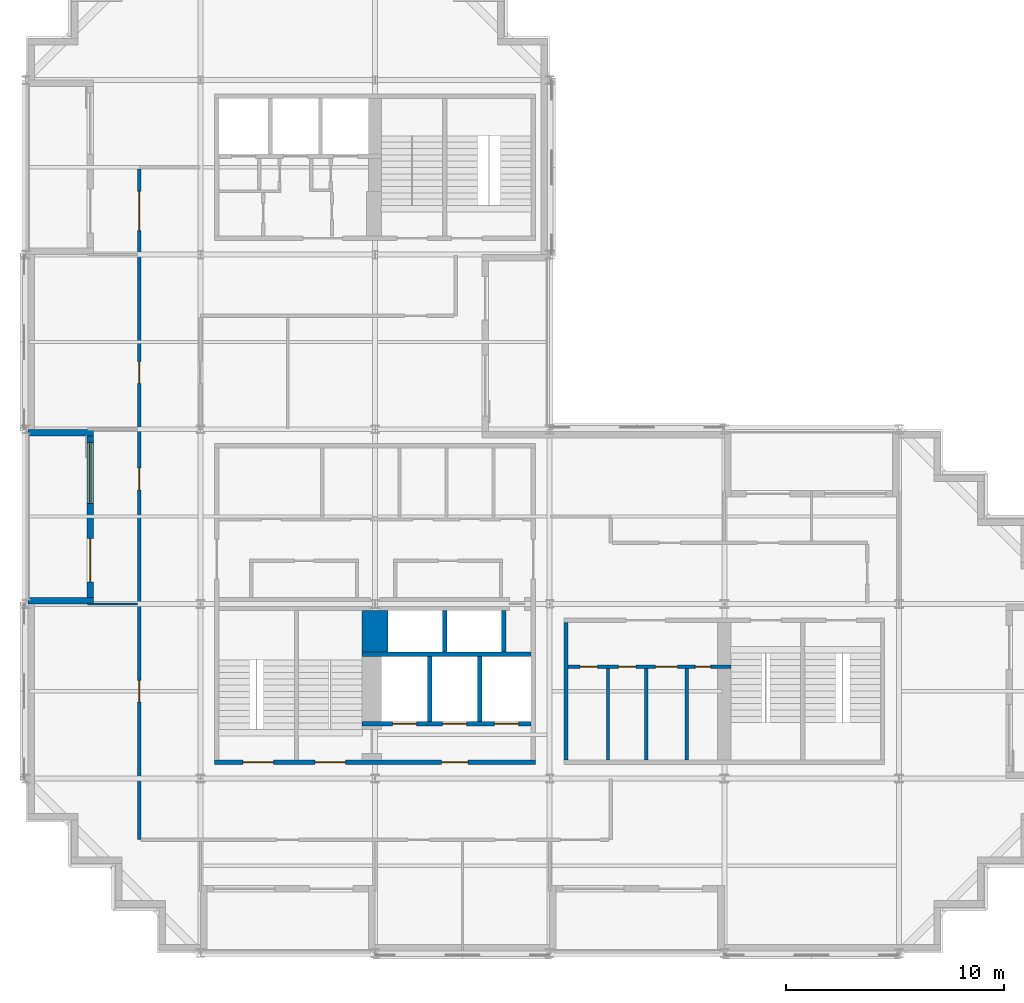
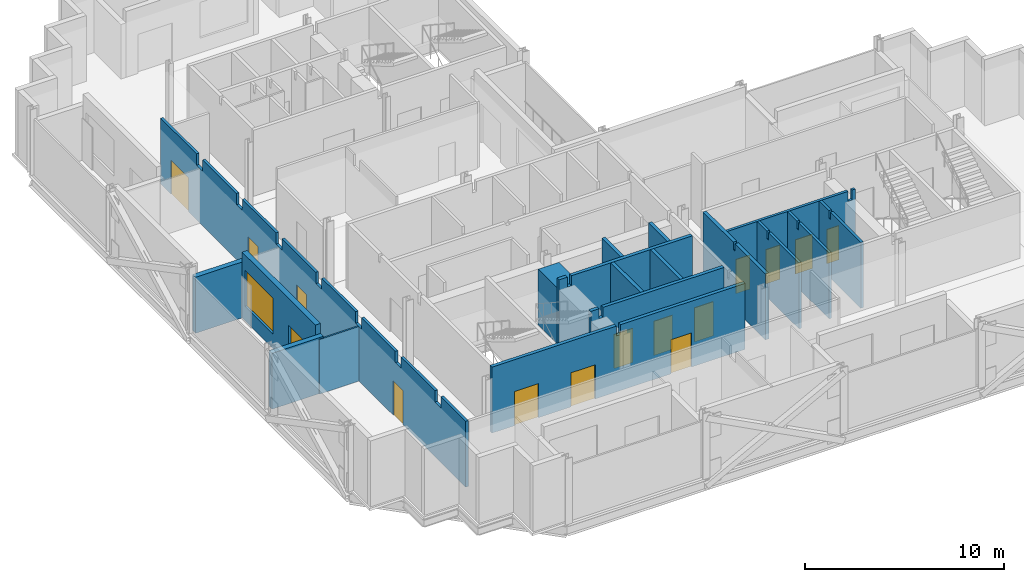
# One storey, part 5 of 10: 18 walls, 15 doors, 1 window, 16 openings.
"""IFC4 building model written with IfcOpenShell, lengths in metres."""

from ifc_helpers import new_model, si_unit, direction, frame, frame_2d, origin, place, context, subcontext, project, spatial, polyline, rectangle, outline, extrude, material, layer, layer_set, type_object, element, fill, save


model = new_model("IFC4")

# Units and contexts
model_context = context("Model", 3, precision=1e-05, world=origin(), true_north=direction((0.0, 1.0)))
body_context = subcontext(model_context, "Body", "Model", "MODEL_VIEW")
ifc_project = project(units=[si_unit("LENGTHUNIT", "METRE"), si_unit("AREAUNIT", "SQUARE_METRE"), si_unit("VOLUMEUNIT", "CUBIC_METRE"), si_unit("PLANEANGLEUNIT", "RADIAN"), si_unit("MASSUNIT", "GRAM", prefix="KILO")], contexts=[model_context])

# Site, building, storey
site_placement = place(None, origin())
site = spatial("IfcSite", under=ifc_project, at=site_placement, CompositionType="ELEMENT")
building_placement = place(site_placement, origin())
building = spatial("IfcBuilding", under=site, at=building_placement, Name="Immortelle Media Tower", CompositionType="ELEMENT")
storey_placement = place(building_placement, frame((0.0, 0.0, 162.0)))
storey = spatial("IfcBuildingStorey", under=building, at=storey_placement, Name="L33", CompositionType="ELEMENT", Elevation=162.0)

# Wall, openings, doors
ifc_material_1 = material(Name="Fire-rated gypsum board", Category="gypsum")
ifc_layer_1 = layer(ifc_material_1, 0.02490234375)
ifc_material_2 = material(Name="Steel ASTM A653 SS Gr 50 stud frame with mineral wool", Category="steel")
ifc_layer_2 = layer(ifc_material_2, 0.10009765625)
ifc_layer_3 = layer(ifc_material_1, 0.02490234375)
ifc_layer_set_1 = layer_set([ifc_layer_1, ifc_layer_2, ifc_layer_3], Name="Steel ASTM A653 SS Gr 50 stud frame with mineral wool")
wall_type_1 = type_object("IfcWallType", Name="Core partition 150", PredefinedType="PARTITIONING", material=ifc_layer_set_1)
wall_1_placement = place(storey_placement, frame((24.85009765625, 13.125, 0.0), z_axis=(0.0, 0.0, 1.0), x_axis=(1.0, 0.0, 0.0)))
wall_1 = element("IfcWall", 1, at=wall_1_placement, inside=storey, type_object=wall_type_1, Name="Core partition SE", PredefinedType="PARTITIONING", context=body_context, shape_type="SweptSolid", body=[
    extrude(outline(polyline([(0.0, 0.0), (7.449951171875, 0.0), (7.449951171875, 4.050048828125), (7.26904296875, 4.050048828125), (7.26806640625, 3.44189453125), (7.031982421875, 3.44189453125), (7.031005859375, 4.050048828125), (0.0, 4.050048828125), (0.0, 0.0)])), frame((0.0, 0.074951171875, 0.0), z_axis=(0.0, -1.0, 0.0), x_axis=(1.0, 0.0, 0.0)), (0.0, 0.0, 1.0), 0.14990234375),
])
opening_1_placement = place(wall_1_placement, frame((1.35009765625, 0.0, 0.0), z_axis=(0.0, 0.0, 1.0), x_axis=(-1.0, 0.0, 0.0)))
opening_1 = element("IfcOpeningElement", 2, at=opening_1_placement, cuts=wall_1, Name="Opening C4-K018", PredefinedType="OPENING", context=body_context, shape_type="SweptSolid", body=[
    extrude(rectangle(XDim=0.800048828125, YDim=2.10009765625, at=frame_2d((0.39990234375, 1.050048828125))), frame((0.0, 0.0849609375, 0.0), z_axis=(0.0, -1.0, 0.0), x_axis=(1.0, 0.0, 0.0)), (0.0, 0.0, 1.0), 0.169921875),
])
opening_2_placement = place(wall_1_placement, frame((3.10009765625, 0.0, 0.0), z_axis=(0.0, 0.0, 1.0), x_axis=(-1.0, 0.0, 0.0)))
opening_2 = element("IfcOpeningElement", 3, at=opening_2_placement, cuts=wall_1, Name="Opening C4-K019", PredefinedType="OPENING", context=body_context, shape_type="SweptSolid", body=[
    extrude(rectangle(XDim=0.800048828125, YDim=2.10009765625, at=frame_2d((0.39990234375, 1.050048828125))), frame((0.0, 0.0849609375, 0.0), z_axis=(0.0, -1.0, 0.0), x_axis=(1.0, 0.0, 0.0)), (0.0, 0.0, 1.0), 0.169921875),
])
opening_3_placement = place(wall_1_placement, frame((5.0, 0.0, 0.0), z_axis=(0.0, 0.0, 1.0), x_axis=(-1.0, 0.0, 0.0)))
opening_3 = element("IfcOpeningElement", 4, at=opening_3_placement, cuts=wall_1, Name="Opening C4-K021", PredefinedType="OPENING", context=body_context, shape_type="SweptSolid", body=[
    extrude(rectangle(XDim=1.0, YDim=2.10009765625, at=frame_2d((0.5, 1.050048828125))), frame((0.0, 0.0849609375, 0.0), z_axis=(0.0, -1.0, 0.0), x_axis=(1.0, 0.0, 0.0)), (0.0, 0.0, 1.0), 0.169921875),
])
opening_4_placement = place(wall_1_placement, frame((6.52490234375, 0.0, 0.0), z_axis=(0.0, 0.0, 1.0), x_axis=(-1.0, 0.0, 0.0)))
opening_4 = element("IfcOpeningElement", 5, at=opening_4_placement, cuts=wall_1, Name="Opening C4-K022", PredefinedType="OPENING", context=body_context, shape_type="SweptSolid", body=[
    extrude(rectangle(XDim=0.699951171875, YDim=2.10009765625, at=frame_2d((0.35009765625, 1.050048828125))), frame((0.0, 0.0849609375, 0.0), z_axis=(0.0, -1.0, 0.0), x_axis=(1.0, 0.0, 0.0)), (0.0, 0.0, 1.0), 0.169921875),
])
ifc_material_3 = material(Name="Timber", Category="wood")
door_type_1 = type_object("IfcDoorType", Name="Accessible toilet door 1000 x 2100", OperationType="NOTDEFINED", PredefinedType="NOTDEFINED", material=ifc_material_3)
door_1_placement = place(opening_3_placement, origin())
door_1 = element("IfcDoor", 6, at=door_1_placement, inside=storey, type_object=door_type_1, Name="Accessible toilet C4-K021", OperationType="SINGLE_SWING_RIGHT", OverallHeight=2.10009765625, OverallWidth=1.0, PredefinedType="NOTDEFINED", context=body_context, shape_type="SweptSolid", body=[
    extrude(rectangle(XDim=1.0, YDim=2.10009765625, at=frame_2d((0.5, 1.050048828125))), frame((0.0, 0.02490234375, 0.0), z_axis=(0.0, -1.0, 0.0), x_axis=(1.0, 0.0, 0.0)), (0.0, 0.0, 1.0), 0.050048828125),
])
fill(opening_3, door_1)
ifc_material_4 = material(Name="Galvanised steel door leaf and frame ASTM A653", Category="steel")
door_type_2 = type_object("IfcDoorType", Name="Service door 700 x 2100", OperationType="NOTDEFINED", PredefinedType="NOTDEFINED", material=ifc_material_4)
door_2_placement = place(opening_4_placement, origin())
door_2 = element("IfcDoor", 7, at=door_2_placement, inside=storey, type_object=door_type_2, Name="Service C4-K022", OperationType="SINGLE_SWING_RIGHT", OverallHeight=2.10009765625, OverallWidth=0.699951171875, PredefinedType="NOTDEFINED", context=body_context, shape_type="SweptSolid", body=[
    extrude(rectangle(XDim=0.699951171875, YDim=2.10009765625, at=frame_2d((0.35009765625, 1.050048828125))), frame((0.0, 0.02490234375, 0.0), z_axis=(0.0, -1.0, 0.0), x_axis=(1.0, 0.0, 0.0)), (0.0, 0.0, 1.0), 0.050048828125),
])
fill(opening_4, door_2)
door_type_3 = type_object("IfcDoorType", Name="Toilet door 800 x 2100", OperationType="NOTDEFINED", PredefinedType="NOTDEFINED", material=ifc_material_3)
door_3_placement = place(opening_1_placement, origin())
door_3 = element("IfcDoor", 8, at=door_3_placement, inside=storey, type_object=door_type_3, Name="Toilet C4-K018", OperationType="SINGLE_SWING_LEFT", OverallHeight=2.10009765625, OverallWidth=0.800048828125, PredefinedType="NOTDEFINED", context=body_context, shape_type="SweptSolid", body=[
    extrude(rectangle(XDim=0.800048828125, YDim=2.10009765625, at=frame_2d((0.39990234375, 1.050048828125))), frame((0.0, 0.02490234375, 0.0), z_axis=(0.0, -1.0, 0.0), x_axis=(1.0, 0.0, 0.0)), (0.0, 0.0, 1.0), 0.050048828125),
])
fill(opening_1, door_3)
door_4_placement = place(opening_2_placement, origin())
door_4 = element("IfcDoor", 9, at=door_4_placement, inside=storey, type_object=door_type_3, Name="Toilet C4-K019", OperationType="SINGLE_SWING_RIGHT", OverallHeight=2.10009765625, OverallWidth=0.800048828125, PredefinedType="NOTDEFINED", context=body_context, shape_type="SweptSolid", body=[
    extrude(rectangle(XDim=0.800048828125, YDim=2.10009765625, at=frame_2d((0.39990234375, 1.050048828125))), frame((0.0, 0.02490234375, 0.0), z_axis=(0.0, -1.0, 0.0), x_axis=(1.0, 0.0, 0.0)), (0.0, 0.0, 1.0), 0.050048828125),
])
fill(opening_2, door_4)

# Walls
for number, where, z_axis, x_axis, name in (
    (10, (26.675048828125, 8.85009765625, 0.0), (0.0, 0.0, 1.0), (0.0, 1.0, 0.0), "Core partition SE"),
    (11, (28.425048828125, 8.85009765625, 0.0), (0.0, 0.0, 1.0), (0.0, 1.0, 0.0), "Core partition SE"),
    (12, (30.27490234375, 8.85009765625, 0.0), (0.0, 0.0, 1.0), (0.0, 1.0, 0.0), "Core partition SE"),
):
    element("IfcWall", number, at=place(storey_placement, frame(where, z_axis=z_axis, x_axis=x_axis)), inside=storey, type_object=wall_type_1, Name=name, PredefinedType="PARTITIONING", context=body_context, shape_type="SweptSolid", body=[
        extrude(outline(polyline([(0.0, 0.0), (4.199951171875, 0.0), (4.199951171875, 4.050048828125), (3.2314453125, 4.050048828125), (3.23046875, 3.589111328125), (3.069580078125, 3.589111328125), (3.068603515625, 4.050048828125), (0.0, 4.050048828125), (0.0, 0.0)])), frame((0.0, 0.074951171875, 0.0), z_axis=(0.0, -1.0, 0.0), x_axis=(1.0, 0.0, 0.0)), (0.0, 0.0, 1.0), 0.14990234375),
    ])

# Wall, openings, doors
ifc_layer_4 = layer(ifc_material_1, 0.03759765625)
ifc_layer_5 = layer(ifc_material_2, 0.125)
ifc_layer_6 = layer(ifc_material_1, 0.03759765625)
ifc_layer_set_2 = layer_set([ifc_layer_4, ifc_layer_5, ifc_layer_6], Name="Steel ASTM A653 SS Gr 50 stud frame with mineral wool")
wall_type_2 = type_object("IfcWallType", Name="Core shaft wall 200", PredefinedType="PARTITIONING", material=ifc_layer_set_2)
wall_2_placement = place(storey_placement, frame((15.39990234375, 10.5, 0.0), z_axis=(0.0, 0.0, 1.0), x_axis=(1.0, 0.0, 0.0)))
wall_2 = element("IfcWall", 13, at=wall_2_placement, inside=storey, type_object=wall_type_2, Name="Core shaft wall SW", PredefinedType="PARTITIONING", context=body_context, shape_type="SweptSolid", body=[
    extrude(outline(polyline([(0.0, 0.0), (7.75, 0.0), (7.75, 4.050048828125), (0.718994140625, 4.050048828125), (0.718017578125, 3.44189453125), (0.48193359375, 3.44189453125), (0.48095703125, 4.050048828125), (0.0, 4.050048828125), (0.0, 0.0)])), frame((0.0, 0.10009765625, 0.0), z_axis=(0.0, -1.0, 0.0), x_axis=(1.0, 0.0, 0.0)), (0.0, 0.0, 1.0), 0.199951171875),
])
opening_5_placement = place(wall_2_placement, frame((1.39990234375, 0.0, 0.0)))
opening_5 = element("IfcOpeningElement", 14, at=opening_5_placement, cuts=wall_2, Name="Opening LD", PredefinedType="OPENING", context=body_context, shape_type="SweptSolid", body=[
    extrude(rectangle(XDim=1.10009765625, YDim=2.10009765625, at=frame_2d((0.550048828125, 1.050048828125))), frame((0.0, 0.10986328125, 0.0), z_axis=(0.0, -1.0, 0.0), x_axis=(1.0, 0.0, 0.0)), (0.0, 0.0, 1.0), 0.219970703125),
])
opening_6_placement = place(wall_2_placement, frame((3.699951171875, 0.0, 0.0)))
opening_6 = element("IfcOpeningElement", 15, at=opening_6_placement, cuts=wall_2, Name="Opening LD", PredefinedType="OPENING", context=body_context, shape_type="SweptSolid", body=[
    extrude(rectangle(XDim=1.10009765625, YDim=2.10009765625, at=frame_2d((0.550048828125, 1.050048828125))), frame((0.0, 0.10986328125, 0.0), z_axis=(0.0, -1.0, 0.0), x_axis=(1.0, 0.0, 0.0)), (0.0, 0.0, 1.0), 0.219970703125),
])
opening_7_placement = place(wall_2_placement, frame((6.074951171875, 0.0, 0.0)))
opening_7 = element("IfcOpeningElement", 16, at=opening_7_placement, cuts=wall_2, Name="Opening LD", PredefinedType="OPENING", context=body_context, shape_type="SweptSolid", body=[
    extrude(rectangle(XDim=1.10009765625, YDim=2.10009765625, at=frame_2d((0.550048828125, 1.050048828125))), frame((0.0, 0.10986328125, 0.0), z_axis=(0.0, -1.0, 0.0), x_axis=(1.0, 0.0, 0.0)), (0.0, 0.0, 1.0), 0.219970703125),
])
ifc_material_5 = material(Name="Stainless steel AISI 304", Category="steel")
door_type_4 = type_object("IfcDoorType", Name="Landing door 1100 x 2100", OperationType="SLIDING_TO_LEFT", PredefinedType="NOTDEFINED", material=ifc_material_5)
door_5_placement = place(opening_5_placement, origin())
door_5 = element("IfcDoor", 17, at=door_5_placement, inside=storey, type_object=door_type_4, Name="Landing door FF1 L33", OperationType="SLIDING_TO_LEFT", OverallHeight=2.10009765625, OverallWidth=1.10009765625, PredefinedType="NOTDEFINED", context=body_context, shape_type="SweptSolid", body=[
    extrude(rectangle(XDim=1.10009765625, YDim=2.10009765625, at=frame_2d((0.550048828125, 1.050048828125))), frame((0.0, 0.02490234375, 0.0), z_axis=(0.0, -1.0, 0.0), x_axis=(1.0, 0.0, 0.0)), (0.0, 0.0, 1.0), 0.050048828125),
])
fill(opening_5, door_5)
door_6_placement = place(opening_6_placement, origin())
door_6 = element("IfcDoor", 18, at=door_6_placement, inside=storey, type_object=door_type_4, Name="Landing door FF2 L33", OperationType="SLIDING_TO_LEFT", OverallHeight=2.10009765625, OverallWidth=1.10009765625, PredefinedType="NOTDEFINED", context=body_context, shape_type="SweptSolid", body=[
    extrude(rectangle(XDim=1.10009765625, YDim=2.10009765625, at=frame_2d((0.550048828125, 1.050048828125))), frame((0.0, 0.02490234375, 0.0), z_axis=(0.0, -1.0, 0.0), x_axis=(1.0, 0.0, 0.0)), (0.0, 0.0, 1.0), 0.050048828125),
])
fill(opening_6, door_6)
door_7_placement = place(opening_7_placement, origin())
door_7 = element("IfcDoor", 19, at=door_7_placement, inside=storey, type_object=door_type_4, Name="Landing door FF3 L33", OperationType="SLIDING_TO_LEFT", OverallHeight=2.10009765625, OverallWidth=1.10009765625, PredefinedType="NOTDEFINED", context=body_context, shape_type="SweptSolid", body=[
    extrude(rectangle(XDim=1.10009765625, YDim=2.10009765625, at=frame_2d((0.550048828125, 1.050048828125))), frame((0.0, 0.02490234375, 0.0), z_axis=(0.0, -1.0, 0.0), x_axis=(1.0, 0.0, 0.0)), (0.0, 0.0, 1.0), 0.050048828125),
])
fill(opening_7, door_7)

# Walls
wall_3_placement = place(storey_placement, frame((15.39990234375, 13.699951171875, 0.0), z_axis=(0.0, 0.0, 1.0), x_axis=(1.0, 0.0, 0.0)))
element("IfcWall", 20, at=wall_3_placement, inside=storey, type_object=wall_type_2, Name="Core shaft wall SW", PredefinedType="PARTITIONING", context=body_context, shape_type="SweptSolid", body=[
    extrude(outline(polyline([(0.0, 0.0), (7.75, 0.0), (7.75, 4.050048828125), (0.718994140625, 4.050048828125), (0.718017578125, 3.44189453125), (0.48193359375, 3.44189453125), (0.48095703125, 4.050048828125), (0.0, 4.050048828125), (0.0, 0.0)])), frame((0.0, 0.10009765625, 0.0), z_axis=(0.0, -1.0, 0.0), x_axis=(1.0, 0.0, 0.0)), (0.0, 0.0, 1.0), 0.199951171875),
])
wall_4_placement = place(storey_placement, frame((18.5, 10.60009765625, 0.0), z_axis=(0.0, 0.0, 1.0), x_axis=(0.0, 1.0, 0.0)))
element("IfcWall", 21, at=wall_4_placement, inside=storey, type_object=wall_type_2, Name="Core shaft wall SW", PredefinedType="PARTITIONING", context=body_context, shape_type="SweptSolid", body=[
    extrude(rectangle(XDim=3.0, YDim=0.199951171875, at=frame_2d((1.5, 0.0))), origin(), (0.0, 0.0, 1.0), 4.050048828125),
])
wall_5_placement = place(storey_placement, frame((19.199951171875, 13.800048828125, 0.0), z_axis=(0.0, 0.0, 1.0), x_axis=(0.0, 1.0, 0.0)))
element("IfcWall", 22, at=wall_5_placement, inside=storey, type_object=wall_type_2, Name="Core shaft wall SW", PredefinedType="PARTITIONING", context=body_context, shape_type="SweptSolid", body=[
    extrude(rectangle(XDim=1.89990234375, YDim=0.199951171875, at=frame_2d((0.949951171875, 0.0))), origin(), (0.0, 0.0, 1.0), 4.050048828125),
])
wall_6_placement = place(storey_placement, frame((20.800048828125, 10.60009765625, 0.0), z_axis=(0.0, 0.0, 1.0), x_axis=(0.0, 1.0, 0.0)))
element("IfcWall", 23, at=wall_6_placement, inside=storey, type_object=wall_type_2, Name="Core shaft wall SW", PredefinedType="PARTITIONING", context=body_context, shape_type="SweptSolid", body=[
    extrude(rectangle(XDim=3.0, YDim=0.199951171875, at=frame_2d((1.5, 0.0))), origin(), (0.0, 0.0, 1.0), 4.050048828125),
])
wall_7_placement = place(storey_placement, frame((21.89990234375, 13.800048828125, 0.0), z_axis=(0.0, 0.0, 1.0), x_axis=(0.0, 1.0, 0.0)))
element("IfcWall", 24, at=wall_7_placement, inside=storey, type_object=wall_type_2, Name="Core shaft wall SW", PredefinedType="PARTITIONING", context=body_context, shape_type="SweptSolid", body=[
    extrude(rectangle(XDim=1.89990234375, YDim=0.199951171875, at=frame_2d((0.949951171875, 0.0))), origin(), (0.0, 0.0, 1.0), 4.050048828125),
])
wall_8_placement = place(storey_placement, frame((24.75, 8.85009765625, 0.0), z_axis=(0.0, 0.0, 1.0), x_axis=(0.0, 1.0, 0.0)))
element("IfcWall", 25, at=wall_8_placement, inside=storey, type_object=wall_type_2, Name="Core shaft wall SE", PredefinedType="PARTITIONING", context=body_context, shape_type="SweptSolid", body=[
    extrude(outline(polyline([(0.0, 0.0), (6.2998046875, 0.0), (6.300048828125, 4.050048828125), (3.2314453125, 4.050048828125), (3.23046875, 3.589111328125), (3.069580078125, 3.589111328125), (3.068603515625, 4.050048828125), (0.0, 4.050048828125), (0.0, 0.0)])), frame((0.0, 0.10009765625, 0.0), z_axis=(0.0, -1.0, 0.0), x_axis=(1.0, 0.0, 0.0)), (0.0, 0.0, 1.0), 0.199951171875),
])

# Wall, openings, doors
ifc_layer_7 = layer(ifc_material_1, 0.012451171875)
ifc_layer_8 = layer(ifc_material_2, 0.125)
ifc_layer_9 = layer(ifc_material_1, 0.012451171875)
ifc_layer_set_3 = layer_set([ifc_layer_7, ifc_layer_8, ifc_layer_9], Name="Steel ASTM A653 SS Gr 50 stud frame with mineral wool")
wall_type_3 = type_object("IfcWallType", Name="Corridor wall 150", PredefinedType="PARTITIONING", material=ifc_layer_set_3)
wall_9_placement = place(storey_placement, frame((5.199951171875, 5.199951171875, 0.0), z_axis=(0.0, 0.0, 1.0), x_axis=(0.0, 1.0, 0.0)))
wall_9 = element("IfcWall", 26, at=wall_9_placement, inside=storey, type_object=wall_type_3, Name="Partition L33-006", PredefinedType="PARTITIONING", context=body_context, shape_type="SweptSolid", body=[
    extrude(outline(polyline([(0.0, 0.0), (30.72509765625, 0.0), (30.72509765625, 4.050048828125), (27.10009765625, 4.050048828125), (27.097900390625, 3.35400390625), (26.501953125, 3.35400390625), (26.5, 4.050048828125), (23.10009765625, 4.050048828125), (23.097900390625, 3.35400390625), (22.501953125, 3.35400390625), (22.5, 4.050048828125), (19.10009765625, 4.050048828125), (19.097900390625, 3.35400390625), (18.501953125, 3.35400390625), (18.5, 4.050048828125), (15.10009765625, 4.050048828125), (15.097900390625, 3.35400390625), (14.501953125, 3.35400390625), (14.5, 4.050048828125), (11.10009765625, 4.050048828125), (11.097900390625, 3.35400390625), (10.501953125, 3.35400390625), (10.5, 4.050048828125), (7.10009765625, 4.050048828125), (7.097900390625, 3.35400390625), (6.501953125, 3.35400390625), (6.5, 4.050048828125), (3.10009765625, 4.050048828125), (3.097900390625, 3.35400390625), (2.501953125, 3.35400390625), (2.5, 4.050048828125), (0.0, 4.050048828125), (0.0, 0.0)])), frame((0.0, 0.074951171875, 0.0), z_axis=(0.0, -1.0, 0.0), x_axis=(1.0, 0.0, 0.0)), (0.0, 0.0, 1.0), 0.14990234375),
])
opening_8_placement = place(wall_9_placement, frame((7.300048828125, 0.0, 0.0), z_axis=(0.0, 0.0, 1.0), x_axis=(-1.0, 0.0, 0.0)))
opening_8 = element("IfcOpeningElement", 27, at=opening_8_placement, cuts=wall_9, Name="Opening C4-F005", PredefinedType="OPENING", context=body_context, shape_type="SweptSolid", body=[
    extrude(rectangle(XDim=1.0, YDim=2.10009765625, at=frame_2d((0.5, 1.050048828125))), frame((0.0, 0.0849609375, 0.0), z_axis=(0.0, -1.0, 0.0), x_axis=(1.0, 0.0, 0.0)), (0.0, 0.0, 1.0), 0.169921875),
])
opening_9_placement = place(wall_9_placement, frame((16.02490234375, 0.0, 0.0)))
opening_9 = element("IfcOpeningElement", 28, at=opening_9_placement, cuts=wall_9, Name="Opening C4-F008", PredefinedType="OPENING", context=body_context, shape_type="SweptSolid", body=[
    extrude(rectangle(XDim=1.0, YDim=2.10009765625, at=frame_2d((0.5, 1.050048828125))), frame((0.0, 0.0849609375, 0.0), z_axis=(0.0, -1.0, 0.0), x_axis=(1.0, 0.0, 0.0)), (0.0, 0.0, 1.0), 0.169921875),
])
opening_10_placement = place(wall_9_placement, frame((20.89990234375, 0.0, 0.0)))
opening_10 = element("IfcOpeningElement", 29, at=opening_10_placement, cuts=wall_9, Name="Opening C4-F012", PredefinedType="OPENING", context=body_context, shape_type="SweptSolid", body=[
    extrude(rectangle(XDim=1.0, YDim=2.10009765625, at=frame_2d((0.5, 1.050048828125))), frame((0.0, 0.0849609375, 0.0), z_axis=(0.0, -1.0, 0.0), x_axis=(1.0, 0.0, 0.0)), (0.0, 0.0, 1.0), 0.169921875),
])
opening_11_placement = place(wall_9_placement, frame((27.89990234375, 0.0, 0.0)))
opening_11 = element("IfcOpeningElement", 30, at=opening_11_placement, cuts=wall_9, Name="Opening C4-F013", PredefinedType="OPENING", context=body_context, shape_type="SweptSolid", body=[
    extrude(rectangle(XDim=1.800048828125, YDim=2.10009765625, at=frame_2d((0.89990234375, 1.050048828125))), frame((0.0, 0.0849609375, 0.0), z_axis=(0.0, -1.0, 0.0), x_axis=(1.0, 0.0, 0.0)), (0.0, 0.0, 1.0), 0.169921875),
])
ifc_material_6 = material(Name="Timber veneered door leaf, galvanised steel frame ASTM A653", Category="steel")
door_type_5 = type_object("IfcDoorType", Name="Room door 1000 x 2100", OperationType="NOTDEFINED", PredefinedType="DOOR", material=ifc_material_6)
door_8_placement = place(opening_8_placement, origin())
door_8 = element("IfcDoor", 31, at=door_8_placement, inside=storey, type_object=door_type_5, Name="Door C4-F005", OperationType="SINGLE_SWING_RIGHT", OverallHeight=2.10009765625, OverallWidth=1.0, PredefinedType="DOOR", context=body_context, shape_type="SweptSolid", body=[
    extrude(rectangle(XDim=1.0, YDim=2.10009765625, at=frame_2d((0.5, 1.050048828125))), frame((0.0, 0.02490234375, 0.0), z_axis=(0.0, -1.0, 0.0), x_axis=(1.0, 0.0, 0.0)), (0.0, 0.0, 1.0), 0.050048828125),
])
fill(opening_8, door_8)
door_9_placement = place(opening_9_placement, origin())
door_9 = element("IfcDoor", 32, at=door_9_placement, inside=storey, type_object=door_type_5, Name="Door C4-F008", OperationType="SINGLE_SWING_RIGHT", OverallHeight=2.10009765625, OverallWidth=1.0, PredefinedType="DOOR", context=body_context, shape_type="SweptSolid", body=[
    extrude(rectangle(XDim=1.0, YDim=2.10009765625, at=frame_2d((0.5, 1.050048828125))), frame((0.0, 0.02490234375, 0.0), z_axis=(0.0, -1.0, 0.0), x_axis=(1.0, 0.0, 0.0)), (0.0, 0.0, 1.0), 0.050048828125),
])
fill(opening_9, door_9)
door_10_placement = place(opening_10_placement, origin())
door_10 = element("IfcDoor", 33, at=door_10_placement, inside=storey, type_object=door_type_5, Name="Door C4-F012", OperationType="SINGLE_SWING_LEFT", OverallHeight=2.10009765625, OverallWidth=1.0, PredefinedType="DOOR", context=body_context, shape_type="SweptSolid", body=[
    extrude(rectangle(XDim=1.0, YDim=2.10009765625, at=frame_2d((0.5, 1.050048828125))), frame((0.0, 0.02490234375, 0.0), z_axis=(0.0, -1.0, 0.0), x_axis=(1.0, 0.0, 0.0)), (0.0, 0.0, 1.0), 0.050048828125),
])
fill(opening_10, door_10)
door_type_6 = type_object("IfcDoorType", Name="Room door 1800 x 2100", OperationType="DOUBLE_DOOR_SINGLE_SWING", PredefinedType="DOOR", material=ifc_material_6)
door_11_placement = place(opening_11_placement, origin())
door_11 = element("IfcDoor", 34, at=door_11_placement, inside=storey, type_object=door_type_6, Name="Door C4-F013", OperationType="DOUBLE_DOOR_SINGLE_SWING", OverallHeight=2.10009765625, OverallWidth=1.800048828125, PredefinedType="DOOR", context=body_context, shape_type="SweptSolid", body=[
    extrude(rectangle(XDim=1.800048828125, YDim=2.10009765625, at=frame_2d((0.89990234375, 1.050048828125))), frame((0.0, 0.02490234375, 0.0), z_axis=(0.0, -1.0, 0.0), x_axis=(1.0, 0.0, 0.0)), (0.0, 0.0, 1.0), 0.050048828125),
])
fill(opening_11, door_11)

# Wall, openings, door, window
ifc_material_7 = material(Name="Pale aluminium cladding panel", Category="aluminium")
ifc_layer_10 = layer(ifc_material_7, 0.030029296875)
ifc_layer_11 = layer(ifc_material_2, 0.257568359375)
ifc_material_8 = material(Name="Moisture-resistant gypsum board", Category="gypsum")
ifc_layer_12 = layer(ifc_material_8, 0.012451171875)
ifc_layer_set_4 = layer_set([ifc_layer_10, ifc_layer_11, ifc_layer_12], Name="Steel ASTM A653 SS Gr 50 stud frame with mineral wool")
wall_type_4 = type_object("IfcWallType", Name="Facade wall 300", PredefinedType="SOLIDWALL", material=ifc_layer_set_4)
wall_10_placement = place(storey_placement, frame((2.949951171875, 23.699951171875, 0.0), z_axis=(0.0, 0.0, 1.0), x_axis=(0.0, -1.0, 0.0)))
wall_10 = element("IfcWall", 35, at=wall_10_placement, inside=storey, type_object=wall_type_4, Name="Loggia wall L33 W35", PredefinedType="SOLIDWALL", context=body_context, shape_type="SweptSolid", body=[
    extrude(rectangle(XDim=7.39990234375, YDim=0.300048828125, at=frame_2d((3.699951171875, 0.0))), origin(), (0.0, 0.0, 1.0), 4.050048828125),
])
opening_12_placement = place(wall_10_placement, frame((0.300048828125, 0.0, 0.89990234375)))
opening_12 = element("IfcOpeningElement", 36, at=opening_12_placement, cuts=wall_10, Name="Opening W1", PredefinedType="OPENING", context=body_context, shape_type="SweptSolid", body=[
    extrude(rectangle(XDim=2.800048828125, YDim=2.199951171875, at=frame_2d((1.39990234375, 1.10009765625))), frame((0.0, 0.159912109375, 0.0), z_axis=(0.0, -1.0, 0.0), x_axis=(1.0, 0.0, 0.0)), (0.0, 0.0, 1.0), 0.320068359375),
])
opening_13_placement = place(wall_10_placement, frame((4.699951171875, 0.0, 0.0)))
opening_13 = element("IfcOpeningElement", 37, at=opening_13_placement, cuts=wall_10, Name="Opening C4-E008", PredefinedType="OPENING", context=body_context, shape_type="SweptSolid", body=[
    extrude(rectangle(XDim=2.0, YDim=2.39990234375, at=frame_2d((1.0, 1.199951171875))), frame((0.0, 0.159912109375, 0.0), z_axis=(0.0, -1.0, 0.0), x_axis=(1.0, 0.0, 0.0)), (0.0, 0.0, 1.0), 0.320068359375),
])
ifc_material_9 = material(Name="Aluminium frame, glazed leaves", Category="aluminium")
door_type_7 = type_object("IfcDoorType", Name="Loggia door 2000 x 2400", OperationType="DOUBLE_DOOR_SINGLE_SWING", PredefinedType="DOOR", material=ifc_material_9)
door_12_placement = place(opening_13_placement, origin())
door_12 = element("IfcDoor", 38, at=door_12_placement, inside=storey, type_object=door_type_7, Name="Door C4-E008", OperationType="DOUBLE_DOOR_SINGLE_SWING", OverallHeight=2.39990234375, OverallWidth=2.0, PredefinedType="DOOR", context=body_context, shape_type="SweptSolid", body=[
    extrude(rectangle(XDim=2.0, YDim=2.39990234375, at=frame_2d((1.0, 1.199951171875))), frame((0.0, 0.02490234375, 0.0), z_axis=(0.0, -1.0, 0.0), x_axis=(1.0, 0.0, 0.0)), (0.0, 0.0, 1.0), 0.050048828125),
])
fill(opening_13, door_12)
ifc_material_10 = material(Name="Aluminium frame", Category="aluminium")
window_type = type_object("IfcWindowType", Name="Window 2800 x 2200", PartitioningType="SINGLE_PANEL", PredefinedType="WINDOW", material=ifc_material_10)
window_placement = place(opening_12_placement, origin())
window = element("IfcWindow", 39, at=window_placement, inside=storey, type_object=window_type, Name="Window L33 L33-R35-B2", OverallHeight=2.199951171875, OverallWidth=2.800048828125, PartitioningType="SINGLE_PANEL", PredefinedType="WINDOW", context=body_context, shape_type="SweptSolid", body=[
    extrude(rectangle(XDim=2.800048828125, YDim=2.199951171875, at=frame_2d((1.39990234375, 1.10009765625))), frame((0.0, 0.030029296875, 0.0), z_axis=(0.0, -1.0, 0.0), x_axis=(1.0, 0.0, 0.0)), (0.0, 0.0, 1.0), 0.06005859375),
])
fill(opening_12, window)

# Walls
for number, where, z_axis, x_axis, name in (
    (40, (0.10009765625, 23.85009765625, 0.0), (0.0, 0.0, 1.0), (1.0, 0.0, 0.0), "Loggia cheek wall L33 W"),
    (41, (0.10009765625, 16.14990234375, 0.0), (0.0, 0.0, 1.0), (1.0, 0.0, 0.0), "Loggia cheek wall L33 W"),
):
    element("IfcWall", number, at=place(storey_placement, frame(where, z_axis=z_axis, x_axis=x_axis)), inside=storey, type_object=wall_type_4, Name=name, PredefinedType="SOLIDWALL", context=body_context, shape_type="SweptSolid", body=[
        extrude(rectangle(XDim=3.0, YDim=0.300048828125, at=frame_2d((1.5, 0.0))), origin(), (0.0, 0.0, 1.0), 3.43701171875),
    ])
ifc_material_11 = material(Name="Gypsum board", Category="gypsum")
ifc_layer_13 = layer(ifc_material_11, 0.012451171875)
ifc_layer_14 = layer(ifc_material_2, 0.074951171875)
ifc_layer_15 = layer(ifc_material_11, 0.012451171875)
ifc_layer_set_5 = layer_set([ifc_layer_13, ifc_layer_14, ifc_layer_15], Name="Steel ASTM A653 SS Gr 50 stud frame with mineral wool")
wall_type_5 = type_object("IfcWallType", Name="Partition 100", PredefinedType="PARTITIONING", material=ifc_layer_set_5)
wall_11_placement = place(storey_placement, frame((2.830078125, 16.0, 0.0), z_axis=(0.0, 0.0, 1.0), x_axis=(1.0, 0.0, 0.0)))
element("IfcWall", 42, at=wall_11_placement, inside=storey, type_object=wall_type_5, Name="Partition L33-008", PredefinedType="PARTITIONING", context=body_context, shape_type="SweptSolid", body=[
    extrude(rectangle(XDim=2.294921875, YDim=0.10009765625, at=frame_2d((1.1474609375, 0.0))), origin(), (0.0, 0.0, 1.0), 3.35400390625),
])
ifc_material_12 = material(Name="Concrete C60", Category="concrete")
ifc_layer_16 = layer(ifc_material_12, 1.199951171875)
ifc_layer_set_6 = layer_set([ifc_layer_16], Name="Concrete C60")
wall_type_6 = type_object("IfcWallType", Name="Stair shaft wall 1200", PredefinedType="PARTITIONING", material=ifc_layer_set_6)
wall_12_placement = place(storey_placement, frame((16.0, 13.800048828125, 0.0), z_axis=(0.0, 0.0, 1.0), x_axis=(0.0, 1.0, 0.0)))
element("IfcWall", 43, at=wall_12_placement, inside=storey, type_object=wall_type_6, Name="Stair shaft wall SW", PredefinedType="PARTITIONING", context=body_context, shape_type="SweptSolid", body=[
    extrude(rectangle(XDim=1.89990234375, YDim=1.199951171875, at=frame_2d((0.949951171875, 0.0))), origin(), (0.0, 0.0, 1.0), 3.44189453125),
])

# Wall, openings, doors
ifc_layer_17 = layer(ifc_material_12, 0.199951171875)
ifc_layer_set_7 = layer_set([ifc_layer_17], Name="Concrete C60")
wall_type_7 = type_object("IfcWallType", Name="Stair shaft wall 200", PredefinedType="PARTITIONING", material=ifc_layer_set_7)
wall_13_placement = place(storey_placement, frame((8.64990234375, 8.75, 0.0), z_axis=(0.0, 0.0, 1.0), x_axis=(1.0, 0.0, 0.0)))
wall_13 = element("IfcWall", 44, at=wall_13_placement, inside=storey, type_object=wall_type_7, Name="Stair shaft wall SW", PredefinedType="PARTITIONING", context=body_context, shape_type="SweptSolid", body=[
    extrude(outline(polyline([(0.0, 0.0), (14.7001953125, 0.0), (14.699951171875, 4.050048828125), (7.468994140625, 4.050048828125), (7.468017578125, 3.44189453125), (7.23193359375, 3.44189453125), (7.23095703125, 4.050048828125), (0.0, 4.050048828125), (0.0, 0.0)])), frame((0.0, 0.10009765625, 0.0), z_axis=(0.0, -1.0, 0.0), x_axis=(1.0, 0.0, 0.0)), (0.0, 0.0, 1.0), 0.199951171875),
])
opening_14_placement = place(wall_13_placement, frame((1.300048828125, 0.0, 0.0)))
opening_14 = element("IfcOpeningElement", 45, at=opening_14_placement, cuts=wall_13, Name="Opening C4-K002", PredefinedType="OPENING", context=body_context, shape_type="SweptSolid", body=[
    extrude(rectangle(XDim=1.39990234375, YDim=2.10009765625, at=frame_2d((0.699951171875, 1.050048828125))), frame((0.0, 0.10986328125, 0.0), z_axis=(0.0, -1.0, 0.0), x_axis=(1.0, 0.0, 0.0)), (0.0, 0.0, 1.0), 0.219970703125),
])
opening_15_placement = place(wall_13_placement, frame((4.60009765625, 0.0, 0.0)))
opening_15 = element("IfcOpeningElement", 46, at=opening_15_placement, cuts=wall_13, Name="Opening C4-K005", PredefinedType="OPENING", context=body_context, shape_type="SweptSolid", body=[
    extrude(rectangle(XDim=1.39990234375, YDim=2.10009765625, at=frame_2d((0.699951171875, 1.050048828125))), frame((0.0, 0.10986328125, 0.0), z_axis=(0.0, -1.0, 0.0), x_axis=(1.0, 0.0, 0.0)), (0.0, 0.0, 1.0), 0.219970703125),
])
opening_16_placement = place(wall_13_placement, frame((10.39990234375, 0.0, 0.0)))
opening_16 = element("IfcOpeningElement", 47, at=opening_16_placement, cuts=wall_13, Name="Opening C4-K011", PredefinedType="OPENING", context=body_context, shape_type="SweptSolid", body=[
    extrude(rectangle(XDim=1.199951171875, YDim=2.10009765625, at=frame_2d((0.60009765625, 1.050048828125))), frame((0.0, 0.10986328125, 0.0), z_axis=(0.0, -1.0, 0.0), x_axis=(1.0, 0.0, 0.0)), (0.0, 0.0, 1.0), 0.219970703125),
])
door_type_8 = type_object("IfcDoorType", Name="Fire-fighting lobby door 1200 x 2100", OperationType="NOTDEFINED", PredefinedType="NOTDEFINED", material=ifc_material_4)
door_13_placement = place(opening_16_placement, origin())
door_13 = element("IfcDoor", 48, at=door_13_placement, inside=storey, type_object=door_type_8, Name="Fire-fighting lobby C4-K011", OperationType="SINGLE_SWING_LEFT", OverallHeight=2.10009765625, OverallWidth=1.199951171875, PredefinedType="NOTDEFINED", context=body_context, shape_type="SweptSolid", body=[
    extrude(rectangle(XDim=1.199951171875, YDim=2.10009765625, at=frame_2d((0.60009765625, 1.050048828125))), frame((0.0, 0.02490234375, 0.0), z_axis=(0.0, -1.0, 0.0), x_axis=(1.0, 0.0, 0.0)), (0.0, 0.0, 1.0), 0.050048828125),
])
fill(opening_16, door_13)
door_type_9 = type_object("IfcDoorType", Name="Stair door 1400 x 2100", OperationType="DOUBLE_DOOR_SINGLE_SWING", PredefinedType="NOTDEFINED", material=ifc_material_4)
door_14_placement = place(opening_14_placement, origin())
door_14 = element("IfcDoor", 49, at=door_14_placement, inside=storey, type_object=door_type_9, Name="Stair C4-K002", OperationType="DOUBLE_DOOR_SINGLE_SWING", OverallHeight=2.10009765625, OverallWidth=1.39990234375, PredefinedType="NOTDEFINED", context=body_context, shape_type="SweptSolid", body=[
    extrude(rectangle(XDim=1.39990234375, YDim=2.10009765625, at=frame_2d((0.699951171875, 1.050048828125))), frame((0.0, 0.02490234375, 0.0), z_axis=(0.0, -1.0, 0.0), x_axis=(1.0, 0.0, 0.0)), (0.0, 0.0, 1.0), 0.050048828125),
])
fill(opening_14, door_14)
door_15_placement = place(opening_15_placement, origin())
door_15 = element("IfcDoor", 50, at=door_15_placement, inside=storey, type_object=door_type_9, Name="Stair C4-K005", OperationType="DOUBLE_DOOR_SINGLE_SWING", OverallHeight=2.10009765625, OverallWidth=1.39990234375, PredefinedType="NOTDEFINED", context=body_context, shape_type="SweptSolid", body=[
    extrude(rectangle(XDim=1.39990234375, YDim=2.10009765625, at=frame_2d((0.699951171875, 1.050048828125))), frame((0.0, 0.02490234375, 0.0), z_axis=(0.0, -1.0, 0.0), x_axis=(1.0, 0.0, 0.0)), (0.0, 0.0, 1.0), 0.050048828125),
])
fill(opening_15, door_15)

save(model, "model.ifc")
